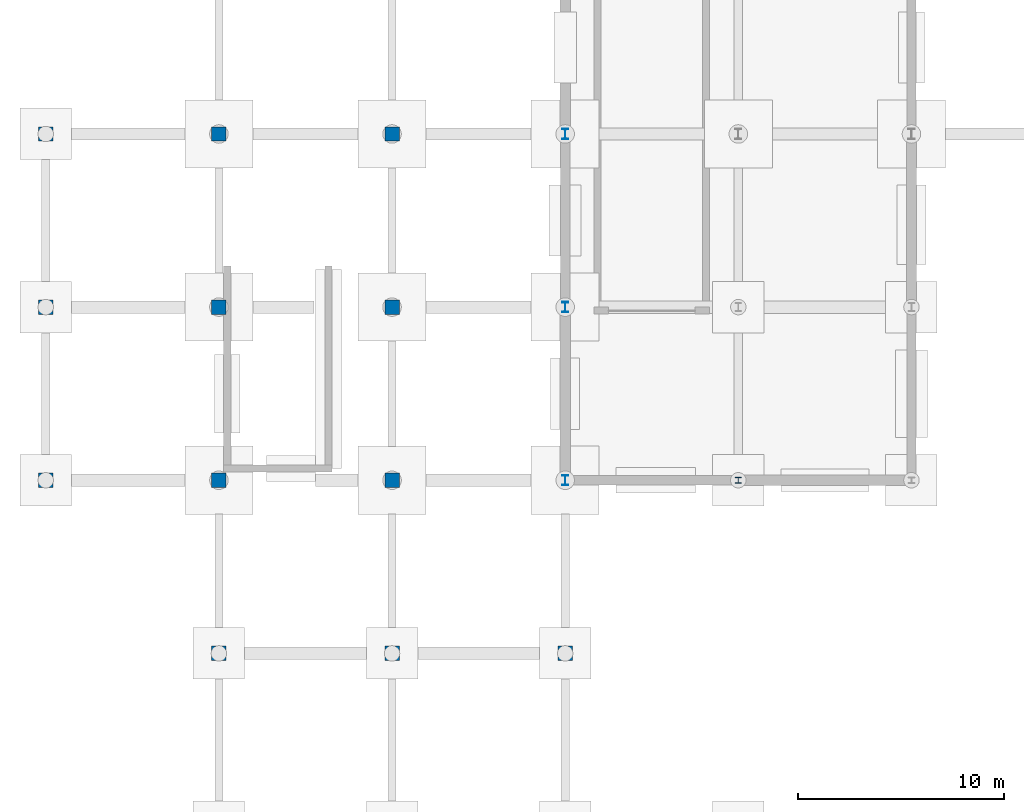
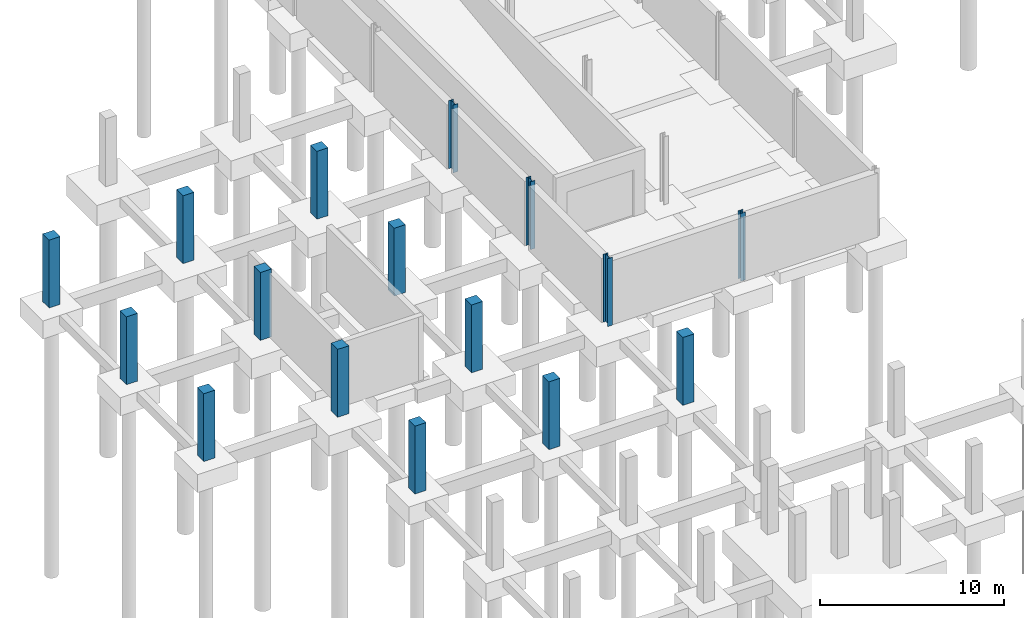
# One storey, part 13 of 43: 16 columns.
"""IFC4 building model written with IfcOpenShell, lengths in metres."""

import ifcopenshell
import ifcopenshell.guid

model = None  # the IFC model being written
_history = None  # IfcOwnerHistory: only IFC2X3 demands one
_inside = {}  # id of a spatial element -> (the spatial element, [elements in it])
_under = {}  # id of a project, library or spatial element -> (it, [spatial elements below it])
_declared = {}  # id of a project -> (the project, [libraries it declares])
_typed = {}  # id of a type object -> (the type object, [elements of that type])
_made_of = {}  # id of a material, layer set ... -> (it, [elements and type objects made of it])


def new_model(schema):
    """Start an empty IFC model of exactly this schema.

    Asked for "IFC4X3", IfcOpenShell would pick the latest addendum, in which some entities
    have other attributes; the version numbers below select the first issue.
    IFC2X3 requires an IfcOwnerHistory on every rooted entity: one is made here for all.
    """
    global model, _history
    if schema == "IFC4X3":
        model = ifcopenshell.file(schema_version=(4, 3, 0, 0))
    else:
        model = ifcopenshell.file(schema=schema)
    _inside.clear()
    _under.clear()
    _declared.clear()
    _typed.clear()
    _made_of.clear()
    _history = None
    if model.schema == "IFC2X3":
        org = make("IfcOrganization", Name="unknown")
        user = make(
            "IfcPersonAndOrganization",
            ThePerson=make("IfcPerson", FamilyName="unknown"),
            TheOrganization=org,
        )
        app = make(
            "IfcApplication",
            ApplicationDeveloper=org,
            Version="unknown",
            ApplicationFullName="unknown",
            ApplicationIdentifier="unknown",
        )
        _history = make(
            "IfcOwnerHistory",
            OwningUser=user,
            OwningApplication=app,
            ChangeAction="ADDED",
            CreationDate=0,
        )
    return model


def make(cls, **values):
    """One entity of the class cls with the attributes given. An attribute that is None is left unset."""
    return model.create_entity(
        cls, **{name: value for name, value in values.items() if value is not None}
    )


def rooted(cls, **values):
    """An entity with a GlobalId (a new one), such as an element, a storey or a relation."""
    return make(cls, GlobalId=ifcopenshell.guid.new(), OwnerHistory=_history, **values)


def si_unit(unit_type, name, prefix=None):
    """IfcSIUnit, for example si_unit("LENGTHUNIT", "METRE", prefix="MILLI")."""
    return make("IfcSIUnit", UnitType=unit_type, Prefix=prefix, Name=name)


def assignment(units):
    """IfcUnitAssignment: the units of a project."""
    return None if units is None else make("IfcUnitAssignment", Units=units)


def point(xyz):
    """IfcCartesianPoint."""
    return None if xyz is None else make("IfcCartesianPoint", Coordinates=xyz)


def direction(xyz):
    """IfcDirection."""
    return None if xyz is None else make("IfcDirection", DirectionRatios=xyz)


def frame(location, z_axis=None, x_axis=None):
    """IfcAxis2Placement3D, a coordinate frame: its origin and axes. An axis left out is left unset."""
    return make(
        "IfcAxis2Placement3D",
        Location=point(location),
        Axis=direction(z_axis),
        RefDirection=direction(x_axis),
    )


def frame_2d(location, x_axis=None):
    """IfcAxis2Placement2D, a coordinate frame in the plane: its origin and x axis."""
    return make(
        "IfcAxis2Placement2D", Location=point(location), RefDirection=direction(x_axis)
    )


def origin():
    """The frame at (0, 0, 0) with its axes left unset."""
    return frame((0.0, 0.0, 0.0))


def origin_2d():
    """The frame at (0, 0) in the plane with its x axis left unset."""
    return frame_2d((0.0, 0.0))


def place(relative_to, where):
    """IfcLocalPlacement: puts the frame where relative to a parent placement (None: the world)."""
    return make(
        "IfcLocalPlacement", PlacementRelTo=relative_to, RelativePlacement=where
    )


def context(
    kind, dimensions, precision=None, world=None, true_north=None, identifier=None
):
    """IfcGeometricRepresentationContext, for example the 3D "Model" context."""
    return make(
        "IfcGeometricRepresentationContext",
        ContextIdentifier=identifier,
        ContextType=kind,
        CoordinateSpaceDimension=dimensions,
        Precision=precision,
        WorldCoordinateSystem=world,
        TrueNorth=true_north,
    )


def subcontext(parent, identifier, kind, view, scale=None):
    """IfcGeometricRepresentationSubContext, for example "Body" below "Model"."""
    return make(
        "IfcGeometricRepresentationSubContext",
        ContextIdentifier=identifier,
        ContextType=kind,
        ParentContext=parent,
        TargetScale=scale,
        TargetView=view,
    )


def project(units=None, contexts=None):
    """IfcProject with its units and contexts."""
    return rooted(
        "IfcProject",
        Name="project",
        RepresentationContexts=contexts,
        UnitsInContext=assignment(units),
    )


def spatial(cls, under=None, at=None, **own):
    """A site, building, storey or space (cls), placed at a placement, below another one or the project."""
    s = rooted(cls, ObjectPlacement=at, **own)
    if under is not None:
        _under.setdefault(under.id(), (under, []))[1].append(s)
    return s


def profile(cls, at=None, kind="AREA", **sizes):
    """A parametric profile (cls). Its sizes go by their IFC names, for example OverallWidth=200.0."""
    return make(cls, ProfileType=kind, Position=at, **sizes)


def rectangle(**sizes):
    """IfcRectangleProfileDef."""
    return profile("IfcRectangleProfileDef", **sizes)


def i_section(**sizes):
    """IfcIShapeProfileDef."""
    return profile("IfcIShapeProfileDef", **sizes)


def extrude(swept, where, along, depth):
    """IfcExtrudedAreaSolid: the profile swept, set in the frame where, extruded along a direction by depth."""
    return make(
        "IfcExtrudedAreaSolid",
        SweptArea=swept,
        Position=where,
        ExtrudedDirection=direction(along),
        Depth=depth,
    )


def shape(context_of_items, identifier, shape_type, items):
    """IfcShapeRepresentation: the items that make up one representation, for example the "Body"."""
    return make(
        "IfcShapeRepresentation",
        ContextOfItems=context_of_items,
        RepresentationIdentifier=identifier,
        RepresentationType=shape_type,
        Items=items,
    )


def material(Name=None, Category=None):
    """IfcMaterial."""
    return make("IfcMaterial", Name=Name, Category=Category)


def material_profile(
    of_material, cross_section, Name=None, Category=None, Priority=None
):
    """IfcMaterialProfile: a cross section and its material."""
    return make(
        "IfcMaterialProfile",
        Name=Name,
        Material=of_material,
        Profile=cross_section,
        Priority=Priority,
        Category=Category,
    )


def profile_set(profiles, Name=None, composite=None):
    """IfcMaterialProfileSet."""
    return make(
        "IfcMaterialProfileSet",
        Name=Name,
        MaterialProfiles=profiles,
        CompositeProfile=composite,
    )


def made_of(thing, what):
    """Note that an element or type object is made of a material, layer set ...; save() writes the relation."""
    if what is not None:
        _made_of.setdefault(what.id(), (what, []))[1].append(thing)
    return thing


def type_object(cls, material=None, **own):
    """A type object (cls), such as IfcWallType, which elements share."""
    return made_of(rooted(cls, **own), material)


def element(
    cls,
    number,
    at=None,
    inside=None,
    cuts=None,
    type_object=None,
    material=None,
    context=None,
    identifier="Body",
    shape_type=None,
    held_by="IfcProductDefinitionShape",
    body=None,
    shapes=None,
    **own,
):
    """One element of the class cls, such as IfcWall. Its Tag is "e" and its number.

    at: its placement. inside: the storey or other place that contains it. cuts: it is an
    opening in that element (IfcRelVoidsElement). A single representation is given by context,
    identifier, shape_type and body (its items); several are given by shapes. held_by: the class
    of the entity that holds the representations. save() writes the other relations.
    """
    e = rooted(cls, Tag="e%d" % number, ObjectPlacement=at, **own)
    if body is not None:
        shapes = [shape(context, identifier, shape_type, body)]
    if shapes is not None:
        e.Representation = make(held_by, Representations=shapes)
    if inside is not None:
        _inside.setdefault(inside.id(), (inside, []))[1].append(e)
    if cuts is not None:
        rooted(
            "IfcRelVoidsElement", RelatingBuildingElement=cuts, RelatedOpeningElement=e
        )
    if type_object is not None:
        _typed.setdefault(type_object.id(), (type_object, []))[1].append(e)
    return made_of(e, material)


def aggregate(whole, parts):
    """IfcRelAggregates: a whole, such as a stair, and the parts it consists of."""
    return rooted("IfcRelAggregates", RelatingObject=whole, RelatedObjects=parts)


def save(model, path):
    """Write the relations noted so far, then the file.

    IfcRelAggregates (storeys below a building ...), IfcRelContainedInSpatialStructure (elements
    in a storey), IfcRelDefinesByType, IfcRelAssociatesMaterial and IfcRelDeclares: one each for
    every whole, place, type object, material and project.
    """
    for whole, parts in _under.values():
        aggregate(whole, parts)
    for where, things in _inside.values():
        rooted(
            "IfcRelContainedInSpatialStructure",
            RelatedElements=things,
            RelatingStructure=where,
        )
    for kind, things in _typed.values():
        rooted("IfcRelDefinesByType", RelatedObjects=things, RelatingType=kind)
    for what, things in _made_of.values():
        rooted("IfcRelAssociatesMaterial", RelatedObjects=things, RelatingMaterial=what)
    for by, libraries in _declared.values():
        rooted("IfcRelDeclares", RelatingContext=by, RelatedDefinitions=libraries)
    model.write(path)


model = new_model("IFC4")

# Units and contexts
model_context = context("Model", 3, precision=1e-05, world=origin(), true_north=direction((0.0, 1.0)))
body_context = subcontext(model_context, "Body", "Model", "MODEL_VIEW")
ifc_project = project(units=[si_unit("LENGTHUNIT", "METRE"), si_unit("AREAUNIT", "SQUARE_METRE"), si_unit("VOLUMEUNIT", "CUBIC_METRE"), si_unit("PLANEANGLEUNIT", "RADIAN"), si_unit("MASSUNIT", "GRAM", prefix="KILO")], contexts=[model_context])

# Site, building, storey
site_placement = place(None, origin())
site = spatial("IfcSite", under=ifc_project, at=site_placement, CompositionType="ELEMENT")
building_placement = place(site_placement, origin())
building = spatial("IfcBuilding", under=site, at=building_placement, Name="Mersafa Astral City Hall", CompositionType="ELEMENT")
storey_placement = place(building_placement, frame((0.0, 0.0, -4.5)))
storey = spatial("IfcBuildingStorey", under=building, at=storey_placement, Name="B1", CompositionType="ELEMENT", Elevation=-4.5)

# Columns
ifc_material_1 = material(Name="Steel S355", Category="steel")
ifc_material_profile_1 = material_profile(ifc_material_1, i_section(OverallWidth=0.300048828125, OverallDepth=0.300048828125, WebThickness=0.010986328125, FlangeThickness=0.01904296875, FilletRadius=0.027099609375, at=origin_2d()), Name="HEB 300")
ifc_profile_set_1 = profile_set([ifc_material_profile_1], Name="Steel S355")
column_type_1 = type_object("IfcColumnType", Name="STR-COL-HEB300", PredefinedType="COLUMN", material=ifc_profile_set_1)
column_placement = place(storey_placement, frame((33.60009765625, 75.60009765625, 0.0), z_axis=(0.0, 0.0, 1.0), x_axis=(1.0, 0.0, 0.0)))
element("IfcColumn", 1, at=column_placement, inside=storey, type_object=column_type_1, Name="B1 Structural column G-04-09", PredefinedType="COLUMN", context=body_context, shape_type="SweptSolid", body=[
    extrude(i_section(OverallWidth=0.300048828125, OverallDepth=0.300048828125, WebThickness=0.010986328125, FlangeThickness=0.01904296875, FilletRadius=0.027099609375, at=origin_2d()), origin(), (0.0, 0.0, 1.0), 4.5),
])
ifc_material_profile_2 = material_profile(ifc_material_1, i_section(OverallWidth=0.300048828125, OverallDepth=0.5, WebThickness=0.014404296875, FlangeThickness=0.028076171875, FilletRadius=0.027099609375, at=origin_2d()), Name="HEB 500")
ifc_profile_set_2 = profile_set([ifc_material_profile_2], Name="Steel S355")
column_type_2 = type_object("IfcColumnType", Name="STR-COL-HEB500", PredefinedType="COLUMN", material=ifc_profile_set_2)
for number, where, z_axis, x_axis, name in (
    (2, (25.199951171875, 75.60009765625, 0.0), (0.0, 0.0, 1.0), (1.0, 0.0, 0.0), "B1 Structural column G-03-09"),
    (3, (25.199951171875, 84.0, 0.0), (0.0, 0.0, 1.0), (1.0, 0.0, 0.0), "B1 Structural column G-03-10"),
    (4, (25.199951171875, 92.39990234375, 0.0), (0.0, 0.0, 1.0), (1.0, 0.0, 0.0), "B1 Structural column G-03-11"),
):
    element("IfcColumn", number, at=place(storey_placement, frame(where, z_axis=z_axis, x_axis=x_axis)), inside=storey, type_object=column_type_2, Name=name, PredefinedType="COLUMN", context=body_context, shape_type="SweptSolid", body=[
        extrude(i_section(OverallWidth=0.300048828125, OverallDepth=0.5, WebThickness=0.014404296875, FlangeThickness=0.028076171875, FilletRadius=0.027099609375, at=origin_2d()), origin(), (0.0, 0.0, 1.0), 4.5),
    ])
ifc_material_2 = material(Name="Concrete C40/50", Category="concrete")
ifc_material_profile_3 = material_profile(ifc_material_2, rectangle(XDim=0.699951171875, YDim=0.699951171875, at=origin_2d()), Name="RC 700x700")
ifc_profile_set_3 = profile_set([ifc_material_profile_3], Name="Concrete C40/50")
column_type_3 = type_object("IfcColumnType", Name="STR-COL-RC700", PredefinedType="COLUMN", material=ifc_profile_set_3)
for number, where, z_axis, x_axis, name in (
    (5, (0.0, 75.60009765625, 0.0), (0.0, 0.0, 1.0), (1.0, 0.0, 0.0), "B1 Structural column G-00-09"),
    (6, (0.0, 84.0, 0.0), (0.0, 0.0, 1.0), (1.0, 0.0, 0.0), "B1 Structural column G-00-10"),
    (7, (0.0, 92.39990234375, 0.0), (0.0, 0.0, 1.0), (1.0, 0.0, 0.0), "B1 Structural column G-00-11"),
    (8, (8.39990234375, 67.199951171875, 0.0), (0.0, 0.0, 1.0), (1.0, 0.0, 0.0), "B1 Structural column G-01-08"),
    (9, (8.39990234375, 75.60009765625, 0.0), (0.0, 0.0, 1.0), (1.0, 0.0, 0.0), "B1 Structural column G-01-09"),
    (10, (8.39990234375, 84.0, 0.0), (0.0, 0.0, 1.0), (1.0, 0.0, 0.0), "B1 Structural column G-01-10"),
    (11, (8.39990234375, 92.39990234375, 0.0), (0.0, 0.0, 1.0), (1.0, 0.0, 0.0), "B1 Structural column G-01-11"),
    (12, (16.800048828125, 67.199951171875, 0.0), (0.0, 0.0, 1.0), (1.0, 0.0, 0.0), "B1 Structural column G-02-08"),
    (13, (16.800048828125, 75.60009765625, 0.0), (0.0, 0.0, 1.0), (1.0, 0.0, 0.0), "B1 Structural column G-02-09"),
    (14, (16.800048828125, 84.0, 0.0), (0.0, 0.0, 1.0), (1.0, 0.0, 0.0), "B1 Structural column G-02-10"),
    (15, (16.800048828125, 92.39990234375, 0.0), (0.0, 0.0, 1.0), (1.0, 0.0, 0.0), "B1 Structural column G-02-11"),
    (16, (25.199951171875, 67.199951171875, 0.0), (0.0, 0.0, 1.0), (1.0, 0.0, 0.0), "B1 Structural column G-03-08"),
):
    element("IfcColumn", number, at=place(storey_placement, frame(where, z_axis=z_axis, x_axis=x_axis)), inside=storey, type_object=column_type_3, Name=name, PredefinedType="COLUMN", context=body_context, shape_type="SweptSolid", body=[
        extrude(rectangle(XDim=0.699951171875, YDim=0.699951171875, at=origin_2d()), origin(), (0.0, 0.0, 1.0), 4.5),
    ])

save(model, "model.ifc")
